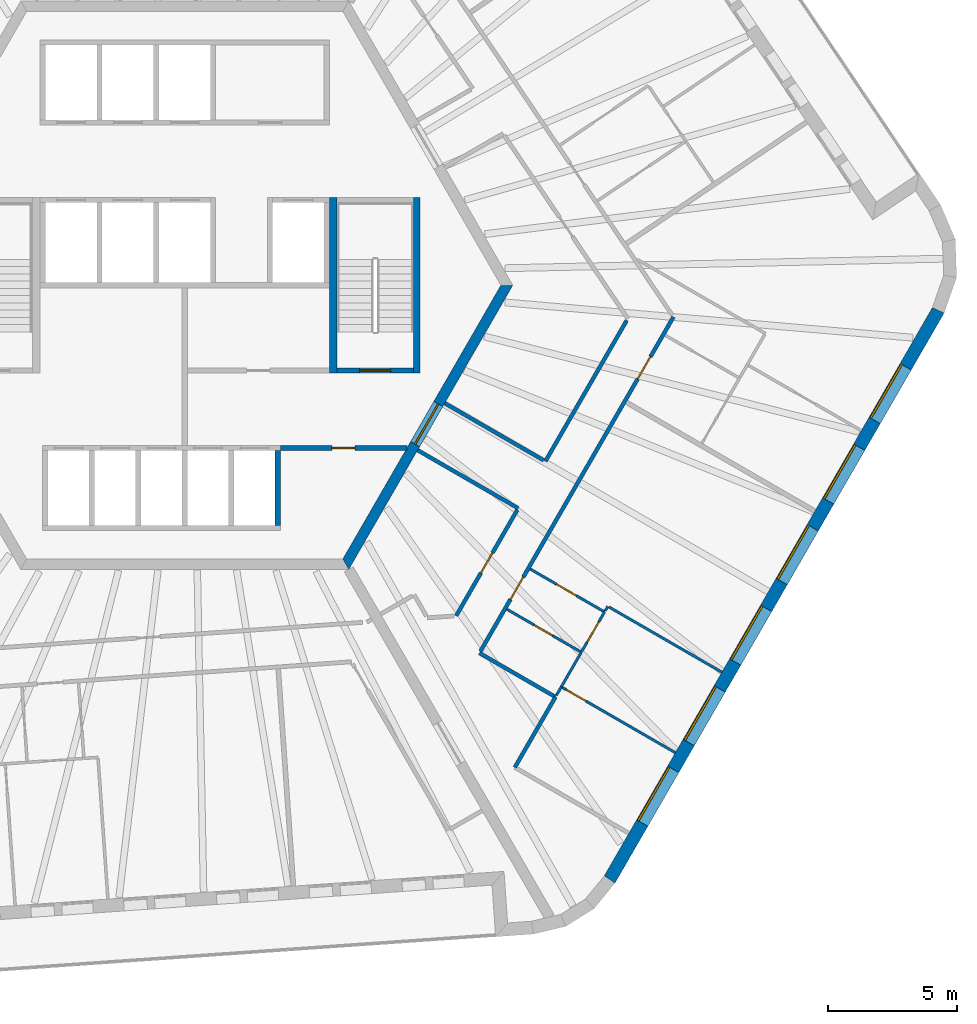
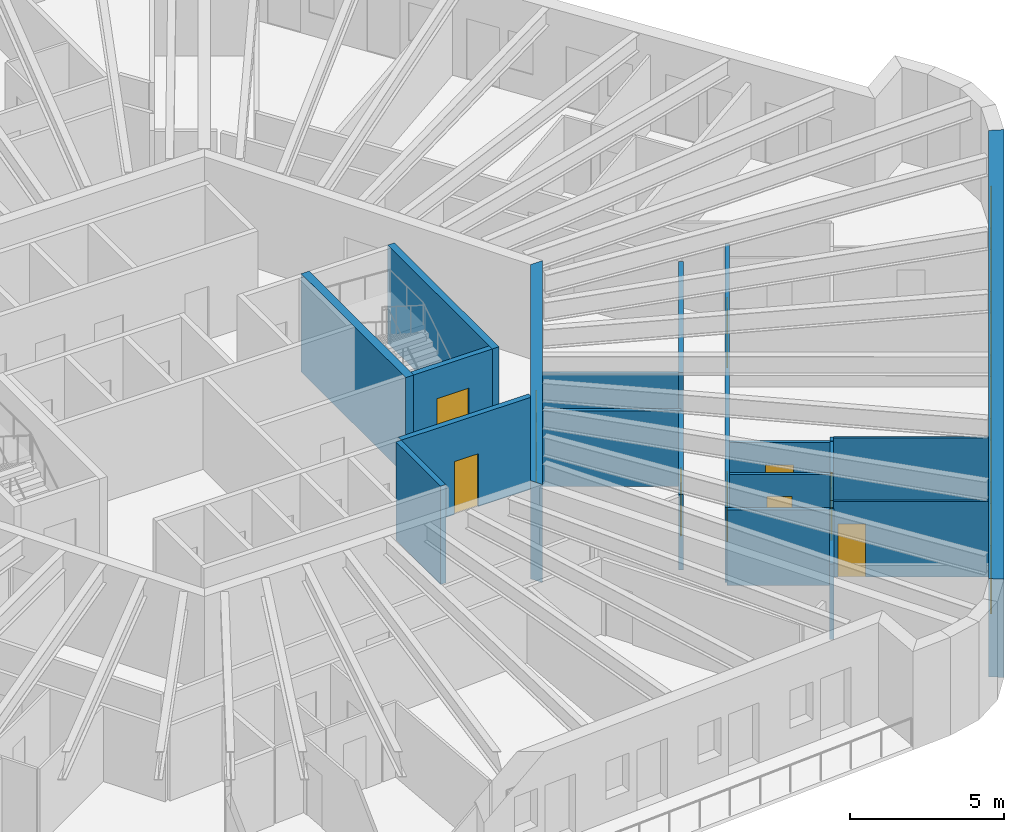
# One storey, part 6 of 12: 22 walls, 10 doors, 6 windows, 16 openings.
"""IFC4 building model written with IfcOpenShell, lengths in metres."""

from ifc_helpers import new_model, si_unit, direction, frame, frame_2d, origin, place, context, subcontext, project, spatial, polyline, rectangle, outline, extrude, material, layer, layer_set, type_object, element, fill, save


model = new_model("IFC4")

# Units and contexts
model_context = context("Model", 3, precision=1e-05, world=origin(), true_north=direction((0.0, 1.0)))
body_context = subcontext(model_context, "Body", "Model", "MODEL_VIEW")
ifc_project = project(units=[si_unit("LENGTHUNIT", "METRE"), si_unit("AREAUNIT", "SQUARE_METRE"), si_unit("VOLUMEUNIT", "CUBIC_METRE"), si_unit("PLANEANGLEUNIT", "RADIAN"), si_unit("MASSUNIT", "GRAM", prefix="KILO")], contexts=[model_context])

# Site, building, storey
site_placement = place(None, origin())
site = spatial("IfcSite", under=ifc_project, at=site_placement, CompositionType="ELEMENT")
building_placement = place(site_placement, origin())
building = spatial("IfcBuilding", under=site, at=building_placement, Name="Tarnside Tower", CompositionType="ELEMENT")
storey_placement = place(building_placement, frame((0.0, 0.0, 295.199951171875)))
storey = spatial("IfcBuildingStorey", under=building, at=storey_placement, Name="L71", CompositionType="ELEMENT", Elevation=295.199951171875)

# Wall, opening, door
ifc_material_1 = material(Name="Gypsum board partition on steel studs", Category="steel")
ifc_layer_1 = layer(ifc_material_1, 0.10009765625)
ifc_layer_set_1 = layer_set([ifc_layer_1], Name="Bathroom wall 100")
wall_type_1 = type_object("IfcWallType", Name="Bathroom wall 100", PredefinedType="PARTITIONING", material=ifc_layer_set_1)
wall_1_placement = place(storey_placement, frame((12.47412109375, -12.544189453125, 0.0), z_axis=(0.0, 0.0, 1.0), x_axis=(0.866002163101, -0.500040251884, 0.0)))
wall_1 = element("IfcWall", 1, at=wall_1_placement, inside=storey, type_object=wall_type_1, Name="Bathroom wall 23144", PredefinedType="PARTITIONING", context=body_context, shape_type="SweptSolid", body=[
    extrude(rectangle(XDim=3.324951171875, YDim=0.10009765625, at=frame_2d((1.66259765625, 0.0))), origin(), (0.0, 0.0, 1.0), 2.98779296875),
])
opening_1_placement = place(wall_1_placement, frame((1.22509765625, 0.0, 0.0)))
opening_1 = element("IfcOpeningElement", 2, at=opening_1_placement, cuts=wall_1, Name="Opening D-B1", PredefinedType="OPENING", context=body_context, shape_type="SweptSolid", body=[
    extrude(rectangle(XDim=0.800048828125, YDim=2.10009765625, at=frame_2d((0.39990234375, 1.050048828125))), frame((0.0, 0.06005859375, 0.0), z_axis=(0.0, -1.0, 0.0), x_axis=(1.0, 0.0, 0.0)), (0.0, 0.0, 1.0), 0.1201171875),
])
ifc_material_2 = material(Name="Timber door leaf", Category="wood")
door_type_1 = type_object("IfcDoorType", Name="Bathroom door 800", OperationType="NOTDEFINED", PredefinedType="DOOR", material=ifc_material_2)
door_1_placement = place(opening_1_placement, origin())
door_1 = element("IfcDoor", 3, at=door_1_placement, inside=storey, type_object=door_type_1, Name="Bathroom door 23040", OperationType="SINGLE_SWING_RIGHT", OverallHeight=2.10009765625, OverallWidth=0.800048828125, PredefinedType="DOOR", context=body_context, shape_type="SweptSolid", body=[
    extrude(rectangle(XDim=0.800048828125, YDim=2.10009765625, at=frame_2d((0.39990234375, 1.050048828125))), frame((0.0, 0.02490234375, 0.0), z_axis=(0.0, -1.0, 0.0), x_axis=(1.0, 0.0, 0.0)), (0.0, 0.0, 1.0), 0.050048828125),
])
fill(opening_1, door_1)

# Walls
wall_2_placement = place(storey_placement, frame((14.39013671875, -15.87548828125, 0.0), z_axis=(0.0, 0.0, 1.0), x_axis=(0.500094824054, 0.865970650169, 0.0)))
element("IfcWall", 4, at=wall_2_placement, inside=storey, type_object=wall_type_1, Name="Bathroom wall 23146", PredefinedType="PARTITIONING", context=body_context, shape_type="SweptSolid", body=[
    extrude(rectangle(XDim=0.37841796875, YDim=0.10009765625, at=frame_2d((0.189208984375, 0.0))), origin(), (0.0, 0.0, 1.0), 2.98779296875),
])
wall_3_placement = place(storey_placement, frame((14.579345703125, -15.5478515625, 0.0), z_axis=(0.0, 0.0, 1.0), x_axis=(0.499949632511, 0.866054481515, 0.0)))
element("IfcWall", 5, at=wall_3_placement, inside=storey, type_object=wall_type_1, Name="Bathroom wall 23147", PredefinedType="PARTITIONING", context=body_context, shape_type="SweptSolid", body=[
    extrude(rectangle(XDim=1.550537109375, YDim=0.10009765625, at=frame_2d((0.775390625, 0.0))), origin(), (0.0, 0.0, 1.0), 2.98779296875),
])

# Wall, opening, door
ifc_material_3 = material(Name="Concrete C40/50", Category="concrete")
ifc_layer_2 = layer(ifc_material_3, 0.199951171875)
ifc_layer_set_2 = layer_set([ifc_layer_2], Name="Core room partition 200 C40/50")
wall_type_2 = type_object("IfcWallType", Name="Core room partition 200 C40/50", PredefinedType="PARTITIONING", material=ifc_layer_set_2)
wall_4_placement = place(storey_placement, frame((3.699951171875, -6.300048828125, 0.0), z_axis=(0.0, 0.0, 1.0), x_axis=(1.0, 0.0, 0.0)))
wall_4 = element("IfcWall", 6, at=wall_4_placement, inside=storey, type_object=wall_type_2, Name="L71 core partition R4X", PredefinedType="PARTITIONING", context=body_context, shape_type="SweptSolid", body=[
    extrude(rectangle(XDim=4.902587890625, YDim=0.199951171875, at=frame_2d((2.451171875, 0.0))), origin(), (0.0, 0.0, 1.0), 3.650146484375),
])
opening_2_placement = place(wall_4_placement, frame((2.001220703125, 0.0, 0.0)))
opening_2 = element("IfcOpeningElement", 7, at=opening_2_placement, cuts=wall_4, Name="Opening CD-room", PredefinedType="OPENING", context=body_context, shape_type="SweptSolid", body=[
    extrude(rectangle(XDim=0.89990234375, YDim=2.10009765625, at=frame_2d((0.449951171875, 1.050048828125))), frame((0.0, 0.10986328125, 0.0), z_axis=(0.0, -1.0, 0.0), x_axis=(1.0, 0.0, 0.0)), (0.0, 0.0, 1.0), 0.219970703125),
])
ifc_material_4 = material(Name="Steel fire door", Category="steel")
door_type_2 = type_object("IfcDoorType", Name="Room door FD60 900x2100", OperationType="NOTDEFINED", PredefinedType="DOOR", material=ifc_material_4)
door_2_placement = place(opening_2_placement, origin())
door_2 = element("IfcDoor", 8, at=door_2_placement, inside=storey, type_object=door_type_2, Name="L71 core room door RX", OperationType="SINGLE_SWING_LEFT", OverallHeight=2.10009765625, OverallWidth=0.89990234375, PredefinedType="DOOR", context=body_context, shape_type="SweptSolid", body=[
    extrude(rectangle(XDim=0.89990234375, YDim=2.10009765625, at=frame_2d((0.449951171875, 1.050048828125))), frame((0.0, 0.02490234375, 0.0), z_axis=(0.0, -1.0, 0.0), x_axis=(1.0, 0.0, 0.0)), (0.0, 0.0, 1.0), 0.050048828125),
])
fill(opening_2, door_2)

ifc_material_5 = material(Name="Concrete C60/75", Category="concrete")
ifc_layer_3 = layer(ifc_material_5, 0.39990234375)
ifc_layer_set_3 = layer_set([ifc_layer_3], Name="Core wall Z3 400 C60/75")
wall_type_3 = type_object("IfcWallType", Name="Core wall Z3 400 C60/75", PredefinedType="SHEAR", material=ifc_layer_set_3)
wall_5_placement = place(storey_placement, frame((6.2353515625, -10.800048828125, -0.14990234375), z_axis=(0.0, 0.0, 1.0), x_axis=(0.499996419489, 0.866027470984, 0.0)))
wall_5 = element("IfcWall", 9, at=wall_5_placement, inside=storey, type_object=wall_type_3, Name="L71 core wall face 5", PredefinedType="SHEAR", context=body_context, shape_type="SweptSolid", body=[
    extrude(outline(polyline([(-0.115478515625, -0.199951171875), (12.586181640625, -0.199951171875), (12.355224609375, 0.199951171875), (0.115478515625, 0.199951171875), (-0.115478515625, -0.199951171875)])), origin(), (0.0, 0.0, 1.0), 3.89990234375),
])
opening_3_placement = place(wall_5_placement, frame((5.3642578125, 0.0, 0.14990234375)))
opening_3 = element("IfcOpeningElement", 10, at=opening_3_placement, cuts=wall_5, Name="Opening CD-FFL", PredefinedType="OPENING", context=body_context, shape_type="SweptSolid", body=[
    extrude(rectangle(XDim=1.800048828125, YDim=2.39990234375, at=frame_2d((0.89990234375, 1.199951171875))), frame((0.0, 0.2099609375, 0.0), z_axis=(0.0, -1.0, 0.0), x_axis=(1.0, 0.0, 0.0)), (0.0, 0.0, 1.0), 0.419921875),
])
door_type_3 = type_object("IfcDoorType", Name="Firefighting lobby double door FD60S 1800x2400", OperationType="NOTDEFINED", PredefinedType="DOOR", material=ifc_material_4)
door_3_placement = place(opening_3_placement, origin())
door_3 = element("IfcDoor", 11, at=door_3_placement, inside=storey, type_object=door_type_3, Name="L71 core door P4", OperationType="DOUBLE_DOOR_SINGLE_SWING", OverallHeight=2.39990234375, OverallWidth=1.800048828125, PredefinedType="DOOR", context=body_context, shape_type="SweptSolid", body=[
    extrude(rectangle(XDim=1.800048828125, YDim=2.39990234375, at=frame_2d((0.89990234375, 1.199951171875))), frame((0.0, 0.02490234375, 0.0), z_axis=(0.0, -1.0, 0.0), x_axis=(1.0, 0.0, 0.0)), (0.0, 0.0, 1.0), 0.050048828125),
])
fill(opening_3, door_3)

# Wall, openings, doors
ifc_layer_4 = layer(ifc_material_1, 0.14990234375)
ifc_layer_set_4 = layer_set([ifc_layer_4], Name="Corridor wall 150 EI 60")
wall_type_4 = type_object("IfcWallType", Name="Corridor wall 150 EI 60", PredefinedType="PARTITIONING", material=ifc_layer_set_4)
wall_6_placement = place(storey_placement, frame((11.446533203125, -14.173828125, 0.0), z_axis=(0.0, 0.0, 1.0), x_axis=(0.500003306199, 0.866023494941, 0.0)))
wall_6 = element("IfcWall", 12, at=wall_6_placement, inside=storey, type_object=wall_type_4, Name="Corridor wall 23053", PredefinedType="PARTITIONING", context=body_context, shape_type="SweptSolid", body=[
    extrude(rectangle(XDim=14.94921875, YDim=0.14990234375, at=frame_2d((7.474609375, 0.0))), origin(), (0.0, 0.0, 1.0), 2.98779296875),
])
opening_4_placement = place(wall_6_placement, frame((2.324951171875, 0.0, 0.0)))
opening_4 = element("IfcOpeningElement", 13, at=opening_4_placement, cuts=wall_6, Name="Opening D-E1", PredefinedType="OPENING", context=body_context, shape_type="SweptSolid", body=[
    extrude(rectangle(XDim=1.0, YDim=2.10009765625, at=frame_2d((0.5, 1.050048828125))), frame((0.0, 0.0849609375, 0.0), z_axis=(0.0, -1.0, 0.0), x_axis=(1.0, 0.0, 0.0)), (0.0, 0.0, 1.0), 0.169921875),
])
opening_5_placement = place(wall_6_placement, frame((12.176513671875, 0.0, 0.0)))
opening_5 = element("IfcOpeningElement", 14, at=opening_5_placement, cuts=wall_6, Name="Opening D-E1", PredefinedType="OPENING", context=body_context, shape_type="SweptSolid", body=[
    extrude(rectangle(XDim=1.0, YDim=2.10009765625, at=frame_2d((0.5, 1.050048828125))), frame((0.0, 0.0849609375, 0.0), z_axis=(0.0, -1.0, 0.0), x_axis=(1.0, 0.0, 0.0)), (0.0, 0.0, 1.0), 0.169921875),
])
door_type_4 = type_object("IfcDoorType", Name="Unit entrance door 1000 FD30S", OperationType="NOTDEFINED", PredefinedType="DOOR", material=ifc_material_2)
door_4_placement = place(opening_4_placement, origin())
door_4 = element("IfcDoor", 15, at=door_4_placement, inside=storey, type_object=door_type_4, Name="Unit door 23039", OperationType="SINGLE_SWING_LEFT", OverallHeight=2.10009765625, OverallWidth=1.0, PredefinedType="DOOR", context=body_context, shape_type="SweptSolid", body=[
    extrude(rectangle(XDim=1.0, YDim=2.10009765625, at=frame_2d((0.5, 1.050048828125))), frame((0.0, 0.02490234375, 0.0), z_axis=(0.0, -1.0, 0.0), x_axis=(1.0, 0.0, 0.0)), (0.0, 0.0, 1.0), 0.050048828125),
])
fill(opening_4, door_4)
door_5_placement = place(opening_5_placement, origin())
door_5 = element("IfcDoor", 16, at=door_5_placement, inside=storey, type_object=door_type_4, Name="Unit door 23046", OperationType="SINGLE_SWING_LEFT", OverallHeight=2.10009765625, OverallWidth=1.0, PredefinedType="DOOR", context=body_context, shape_type="SweptSolid", body=[
    extrude(rectangle(XDim=1.0, YDim=2.10009765625, at=frame_2d((0.5, 1.050048828125))), frame((0.0, 0.02490234375, 0.0), z_axis=(0.0, -1.0, 0.0), x_axis=(1.0, 0.0, 0.0)), (0.0, 0.0, 1.0), 0.050048828125),
])
fill(opening_5, door_5)

# Walls
wall_7_placement = place(storey_placement, frame((14.353515625, -15.938720703125, 0.0), z_axis=(0.0, 0.0, 1.0), x_axis=(-0.866020560687, 0.500008388397, 0.0)))
element("IfcWall", 17, at=wall_7_placement, inside=storey, type_object=wall_type_4, Name="Corridor wall 23055", PredefinedType="PARTITIONING", context=body_context, shape_type="SweptSolid", body=[
    extrude(rectangle(XDim=3.39990234375, YDim=0.14990234375, at=frame_2d((1.699951171875, 0.0))), origin(), (0.0, 0.0, 1.0), 2.98779296875),
])
wall_8_placement = place(storey_placement, frame((12.780029296875, -18.66455078125, 0.0), z_axis=(0.0, 0.0, 1.0), x_axis=(0.499972881236, 0.866041060244, 0.0)))
element("IfcWall", 18, at=wall_8_placement, inside=storey, type_object=wall_type_4, Name="Corridor wall 23057", PredefinedType="PARTITIONING", context=body_context, shape_type="SweptSolid", body=[
    extrude(rectangle(XDim=3.150634765625, YDim=0.14990234375, at=frame_2d((1.5751953125, 0.0))), origin(), (0.0, 0.0, 1.0), 2.98779296875),
])
wall_9_placement = place(storey_placement, frame((17.11181640625, -1.361572265625, 0.0), z_axis=(0.0, 0.0, 1.0), x_axis=(-0.49999985423, -0.866025487945, 0.0)))
element("IfcWall", 19, at=wall_9_placement, inside=storey, type_object=wall_type_4, Name="Corridor wall 23071", PredefinedType="PARTITIONING", context=body_context, shape_type="SweptSolid", body=[
    extrude(rectangle(XDim=6.2978515625, YDim=0.14990234375, at=frame_2d((3.14892578125, 0.0))), origin(), (0.0, 0.0, 1.0), 2.98779296875),
])
wall_10_placement = place(storey_placement, frame((13.89794921875, -6.778076171875, 0.0), z_axis=(0.0, 0.0, 1.0), x_axis=(-0.866041342403, 0.499972392486, 0.0)))
element("IfcWall", 20, at=wall_10_placement, inside=storey, type_object=wall_type_4, Name="Corridor wall 23072", PredefinedType="PARTITIONING", context=body_context, shape_type="SweptSolid", body=[
    extrude(rectangle(XDim=4.425048828125, YDim=0.14990234375, at=frame_2d((2.21240234375, 0.0))), origin(), (0.0, 0.0, 1.0), 2.98779296875),
])
wall_11_placement = place(storey_placement, frame((9.015625, -6.38427734375, 0.0), z_axis=(0.0, 0.0, 1.0), x_axis=(0.866031096941, -0.499990139034, 0.0)))
element("IfcWall", 21, at=wall_11_placement, inside=storey, type_object=wall_type_4, Name="Corridor wall 23073", PredefinedType="PARTITIONING", context=body_context, shape_type="SweptSolid", body=[
    extrude(rectangle(XDim=4.5, YDim=0.14990234375, at=frame_2d((2.25, 0.0))), origin(), (0.0, 0.0, 1.0), 2.98779296875),
])

# Wall, opening, door
wall_12_placement = place(storey_placement, frame((12.875244140625, -8.69921875, 0.0), z_axis=(0.0, 0.0, 1.0), x_axis=(-0.49999482868, -0.866028389427, 0.0)))
wall_12 = element("IfcWall", 22, at=wall_12_placement, inside=storey, type_object=wall_type_4, Name="Corridor wall 23074", PredefinedType="PARTITIONING", context=body_context, shape_type="SweptSolid", body=[
    extrude(rectangle(XDim=4.73291015625, YDim=0.14990234375, at=frame_2d((2.366455078125, 0.0))), origin(), (0.0, 0.0, 1.0), 2.98779296875),
])
opening_6_placement = place(wall_12_placement, frame((1.91650390625, 0.0, 0.0)))
opening_6 = element("IfcOpeningElement", 23, at=opening_6_placement, cuts=wall_12, Name="Opening D-S1", PredefinedType="OPENING", context=body_context, shape_type="SweptSolid", body=[
    extrude(rectangle(XDim=0.89990234375, YDim=2.10009765625, at=frame_2d((0.449951171875, 1.050048828125))), frame((0.0, 0.0849609375, 0.0), z_axis=(0.0, -1.0, 0.0), x_axis=(1.0, 0.0, 0.0)), (0.0, 0.0, 1.0), 0.169921875),
])
door_type_5 = type_object("IfcDoorType", Name="Service room door 900 FD30S", OperationType="NOTDEFINED", PredefinedType="DOOR", material=ifc_material_2)
door_6_placement = place(opening_6_placement, origin())
door_6 = element("IfcDoor", 24, at=door_6_placement, inside=storey, type_object=door_type_5, Name="Service door 23063", OperationType="SINGLE_SWING_LEFT", OverallHeight=2.10009765625, OverallWidth=0.89990234375, PredefinedType="DOOR", context=body_context, shape_type="SweptSolid", body=[
    extrude(rectangle(XDim=0.89990234375, YDim=2.10009765625, at=frame_2d((0.449951171875, 1.050048828125))), frame((0.0, 0.02490234375, 0.0), z_axis=(0.0, -1.0, 0.0), x_axis=(1.0, 0.0, 0.0)), (0.0, 0.0, 1.0), 0.050048828125),
])
fill(opening_6, door_6)

# Wall
ifc_layer_5 = layer(ifc_material_3, 0.199951171875)
ifc_layer_set_5 = layer_set([ifc_layer_5], Name="Lift shaft wall 200 C40/50")
wall_type_5 = type_object("IfcWallType", Name="Lift shaft wall 200 C40/50", PredefinedType="SHEAR", material=ifc_layer_set_5)
wall_13_placement = place(storey_placement, frame((3.60009765625, -9.300048828125, -0.25), z_axis=(0.0, 0.0, 1.0), x_axis=(0.0, 1.0, 0.0)))
element("IfcWall", 25, at=wall_13_placement, inside=storey, type_object=wall_type_5, Name="L71 lift shaft partition R46", PredefinedType="SHEAR", context=body_context, shape_type="SweptSolid", body=[
    extrude(rectangle(XDim=2.900146484375, YDim=0.199951171875, at=frame_2d((1.4501953125, 0.0))), origin(), (0.0, 0.0, 1.0), 3.900146484375),
])

# Wall, opening, door
wall_14_placement = place(storey_placement, frame((5.89990234375, -3.300048828125, -0.25), z_axis=(0.0, 0.0, 1.0), x_axis=(1.0, 0.0, 0.0)))
wall_14 = element("IfcWall", 26, at=wall_14_placement, inside=storey, type_object=wall_type_5, Name="L71 stair 1 enclosure cap wall s", PredefinedType="SHEAR", context=body_context, shape_type="SweptSolid", body=[
    extrude(rectangle(XDim=2.9501953125, YDim=0.199951171875, at=frame_2d((1.47509765625, 0.0))), origin(), (0.0, 0.0, 1.0), 3.900146484375),
])
opening_7_placement = place(wall_14_placement, frame((0.875, 0.0, 0.25)))
opening_7 = element("IfcOpeningElement", 27, at=opening_7_placement, cuts=wall_14, Name="Opening CD-STR", PredefinedType="OPENING", context=body_context, shape_type="SweptSolid", body=[
    extrude(rectangle(XDim=1.199951171875, YDim=2.39990234375, at=frame_2d((0.60009765625, 1.199951171875))), frame((0.0, 0.10986328125, 0.0), z_axis=(0.0, -1.0, 0.0), x_axis=(1.0, 0.0, 0.0)), (0.0, 0.0, 1.0), 0.219970703125),
])
door_type_6 = type_object("IfcDoorType", Name="Stair door FD60S 1200x2400", OperationType="NOTDEFINED", PredefinedType="DOOR", material=ifc_material_4)
door_7_placement = place(opening_7_placement, origin())
door_7 = element("IfcDoor", 28, at=door_7_placement, inside=storey, type_object=door_type_6, Name="L71 stair 1 door", OperationType="SINGLE_SWING_LEFT", OverallHeight=2.39990234375, OverallWidth=1.199951171875, PredefinedType="DOOR", context=body_context, shape_type="SweptSolid", body=[
    extrude(rectangle(XDim=1.199951171875, YDim=2.39990234375, at=frame_2d((0.60009765625, 1.199951171875))), frame((0.0, 0.02490234375, 0.0), z_axis=(0.0, -1.0, 0.0), x_axis=(1.0, 0.0, 0.0)), (0.0, 0.0, 1.0), 0.050048828125),
])
fill(opening_7, door_7)

ifc_layer_6 = layer(ifc_material_1, 0.10009765625)
ifc_layer_set_6 = layer_set([ifc_layer_6], Name="Partition 100")
wall_type_6 = type_object("IfcWallType", Name="Partition 100", PredefinedType="PARTITIONING", material=ifc_layer_set_6)
wall_15_placement = place(storey_placement, frame((13.3740234375, -10.9853515625, 0.0), z_axis=(0.0, 0.0, 1.0), x_axis=(0.866020521143, -0.500008456887, 0.0)))
wall_15 = element("IfcWall", 29, at=wall_15_placement, inside=storey, type_object=wall_type_6, Name="Partition wall 23139", PredefinedType="PARTITIONING", context=body_context, shape_type="SweptSolid", body=[
    extrude(rectangle(XDim=3.3251953125, YDim=0.10009765625, at=frame_2d((1.66259765625, 0.0))), origin(), (0.0, 0.0, 1.0), 2.98779296875),
])
opening_8_placement = place(wall_15_placement, frame((1.175048828125, 0.0, 0.0)))
opening_8 = element("IfcOpeningElement", 30, at=opening_8_placement, cuts=wall_15, Name="Opening D-I1", PredefinedType="OPENING", context=body_context, shape_type="SweptSolid", body=[
    extrude(rectangle(XDim=0.89990234375, YDim=2.10009765625, at=frame_2d((0.449951171875, 1.050048828125))), frame((0.0, 0.06005859375, 0.0), z_axis=(0.0, -1.0, 0.0), x_axis=(1.0, 0.0, 0.0)), (0.0, 0.0, 1.0), 0.1201171875),
])
door_type_7 = type_object("IfcDoorType", Name="Internal door 900", OperationType="NOTDEFINED", PredefinedType="DOOR", material=ifc_material_2)
door_8_placement = place(opening_8_placement, origin())
door_8 = element("IfcDoor", 31, at=door_8_placement, inside=storey, type_object=door_type_7, Name="Internal door 23041", OperationType="SINGLE_SWING_RIGHT", OverallHeight=2.10009765625, OverallWidth=0.89990234375, PredefinedType="DOOR", context=body_context, shape_type="SweptSolid", body=[
    extrude(rectangle(XDim=0.89990234375, YDim=2.10009765625, at=frame_2d((0.449951171875, 1.050048828125))), frame((0.0, 0.02490234375, 0.0), z_axis=(0.0, -1.0, 0.0), x_axis=(1.0, 0.0, 0.0)), (0.0, 0.0, 1.0), 0.050048828125),
])
fill(opening_8, door_8)

# Walls
wall_16_placement = place(storey_placement, frame((16.277587890625, -12.6064453125, 0.0), z_axis=(0.0, 0.0, 1.0), x_axis=(0.500137716533, 0.865945878506, 0.0)))
element("IfcWall", 32, at=wall_16_placement, inside=storey, type_object=wall_type_6, Name="Partition wall 23140", PredefinedType="PARTITIONING", context=body_context, shape_type="SweptSolid", body=[
    extrude(rectangle(XDim=0.20361328125, YDim=0.10009765625, at=frame_2d((0.101806640625, 0.0))), origin(), (0.0, 0.0, 1.0), 2.98779296875),
])
wall_17_placement = place(storey_placement, frame((16.422607421875, -12.455078125, 0.0), z_axis=(0.0, 0.0, 1.0), x_axis=(0.866018134068, -0.500012591307, 0.0)))
element("IfcWall", 33, at=wall_17_placement, inside=storey, type_object=wall_type_6, Name="Partition wall 23141", PredefinedType="PARTITIONING", context=body_context, shape_type="SweptSolid", body=[
    extrude(rectangle(XDim=5.050048828125, YDim=0.10009765625, at=frame_2d((2.52490234375, 0.0))), origin(), (0.0, 0.0, 1.0), 2.98779296875),
])

# Wall, opening, door
wall_18_placement = place(storey_placement, frame((15.377685546875, -14.165283203125, 0.0), z_axis=(0.0, 0.0, 1.0), x_axis=(0.499971461383, 0.866041879935, 0.0)))
wall_18 = element("IfcWall", 34, at=wall_18_placement, inside=storey, type_object=wall_type_6, Name="Partition wall 23145", PredefinedType="PARTITIONING", context=body_context, shape_type="SweptSolid", body=[
    extrude(rectangle(XDim=1.75390625, YDim=0.10009765625, at=frame_2d((0.876953125, 0.0))), origin(), (0.0, 0.0, 1.0), 2.98779296875),
])
opening_9_placement = place(wall_18_placement, frame((0.402099609375, 0.0, 0.0)))
opening_9 = element("IfcOpeningElement", 35, at=opening_9_placement, cuts=wall_18, Name="Opening D-I1", PredefinedType="OPENING", context=body_context, shape_type="SweptSolid", body=[
    extrude(rectangle(XDim=0.89990234375, YDim=2.10009765625, at=frame_2d((0.449951171875, 1.050048828125))), frame((0.0, 0.06005859375, 0.0), z_axis=(0.0, -1.0, 0.0), x_axis=(1.0, 0.0, 0.0)), (0.0, 0.0, 1.0), 0.1201171875),
])
door_9_placement = place(opening_9_placement, origin())
door_9 = element("IfcDoor", 36, at=door_9_placement, inside=storey, type_object=door_type_7, Name="Internal door 23045", OperationType="SINGLE_SWING_RIGHT", OverallHeight=2.10009765625, OverallWidth=0.89990234375, PredefinedType="DOOR", context=body_context, shape_type="SweptSolid", body=[
    extrude(rectangle(XDim=0.89990234375, YDim=2.10009765625, at=frame_2d((0.449951171875, 1.050048828125))), frame((0.0, 0.02490234375, 0.0), z_axis=(0.0, -1.0, 0.0), x_axis=(1.0, 0.0, 0.0)), (0.0, 0.0, 1.0), 0.050048828125),
])
fill(opening_9, door_9)

wall_19_placement = place(storey_placement, frame((18.99609375, -18.097900390625, 0.0), z_axis=(0.0, 0.0, 1.0), x_axis=(-0.866039067339, 0.499976333282, 0.0)))
wall_19 = element("IfcWall", 37, at=wall_19_placement, inside=storey, type_object=wall_type_6, Name="Partition wall 23148", PredefinedType="PARTITIONING", context=body_context, shape_type="SweptSolid", body=[
    extrude(rectangle(XDim=5.050048828125, YDim=0.10009765625, at=frame_2d((2.52490234375, 0.0))), origin(), (0.0, 0.0, 1.0), 2.98779296875),
])
opening_10_placement = place(wall_19_placement, frame((4.0, 0.0, 0.0)))
opening_10 = element("IfcOpeningElement", 38, at=opening_10_placement, cuts=wall_19, Name="Opening D-I1", PredefinedType="OPENING", context=body_context, shape_type="SweptSolid", body=[
    extrude(rectangle(XDim=0.89990234375, YDim=2.10009765625, at=frame_2d((0.449951171875, 1.050048828125))), frame((0.0, 0.06005859375, 0.0), z_axis=(0.0, -1.0, 0.0), x_axis=(1.0, 0.0, 0.0)), (0.0, 0.0, 1.0), 0.1201171875),
])
door_10_placement = place(opening_10_placement, origin())
door_10 = element("IfcDoor", 39, at=door_10_placement, inside=storey, type_object=door_type_7, Name="Internal door 23044", OperationType="SINGLE_SWING_RIGHT", OverallHeight=2.10009765625, OverallWidth=0.89990234375, PredefinedType="DOOR", context=body_context, shape_type="SweptSolid", body=[
    extrude(rectangle(XDim=0.89990234375, YDim=2.10009765625, at=frame_2d((0.449951171875, 1.050048828125))), frame((0.0, 0.02490234375, 0.0), z_axis=(0.0, -1.0, 0.0), x_axis=(1.0, 0.0, 0.0)), (0.0, 0.0, 1.0), 0.050048828125),
])
fill(opening_10, door_10)

# Walls
ifc_layer_7 = layer(ifc_material_3, 0.25)
ifc_layer_set_7 = layer_set([ifc_layer_7], Name="Stair enclosure wall 250 C40/50")
wall_type_7 = type_object("IfcWallType", Name="Stair enclosure wall 250 C40/50", PredefinedType="SHEAR", material=ifc_layer_set_7)
wall_20_placement = place(storey_placement, frame((8.97509765625, -3.39990234375, -0.25), z_axis=(0.0, 0.0, 1.0), x_axis=(0.0, 1.0, 0.0)))
element("IfcWall", 40, at=wall_20_placement, inside=storey, type_object=wall_type_7, Name="L71 stair 1 enclosure wall outer", PredefinedType="SHEAR", context=body_context, shape_type="SweptSolid", body=[
    extrude(rectangle(XDim=6.7998046875, YDim=0.25, at=frame_2d((3.39990234375, 0.0))), origin(), (0.0, 0.0, 1.0), 3.900146484375),
])
ifc_layer_8 = layer(ifc_material_3, 0.300048828125)
ifc_layer_set_8 = layer_set([ifc_layer_8], Name="Stair enclosure wall 300 C40/50")
wall_type_8 = type_object("IfcWallType", Name="Stair enclosure wall 300 C40/50", PredefinedType="SHEAR", material=ifc_layer_set_8)
wall_21_placement = place(storey_placement, frame((5.75, -3.39990234375, -0.25), z_axis=(0.0, 0.0, 1.0), x_axis=(0.0, 1.0, 0.0)))
element("IfcWall", 41, at=wall_21_placement, inside=storey, type_object=wall_type_8, Name="L71 stair 1 enclosure wall inner", PredefinedType="SHEAR", context=body_context, shape_type="SweptSolid", body=[
    extrude(rectangle(XDim=6.7998046875, YDim=0.300048828125, at=frame_2d((3.39990234375, 0.0))), origin(), (0.0, 0.0, 1.0), 3.900146484375),
])

# Wall, openings, windows
ifc_material_6 = material(Name="Facing brick", Category="masonry")
ifc_layer_9 = layer(ifc_material_6, 0.10205078125)
ifc_material_7 = material(Name="Concrete C60/75 precast", Category="concrete")
ifc_layer_10 = layer(ifc_material_7, 0.298095703125)
ifc_material_8 = material(Name="Mineral wool insulation")
ifc_layer_11 = layer(ifc_material_8, 0.10009765625)
ifc_layer_set_9 = layer_set([ifc_layer_9, ifc_layer_10, ifc_layer_11], Name="Tube wall 500 brick faced")
wall_type_9 = type_object("IfcWallType", Name="Tube wall 500 brick faced", PredefinedType="SOLIDWALL", material=ifc_layer_set_9)
wall_22_placement = place(storey_placement, frame((16.451416015625, -23.00537109375, -0.14990234375), z_axis=(0.0, 0.0, 1.0), x_axis=(0.500003737743, 0.866023245787, 0.0)))
wall_22 = element("IfcWall", 42, at=wall_22_placement, inside=storey, type_object=wall_type_9, Name="Tube wall L71 F5 flush 24", PredefinedType="SOLIDWALL", context=body_context, shape_type="SweptSolid", body=[
    extrude(outline(polyline([(-0.0205078125, -0.25), (25.468017578125, -0.25), (25.421142578125, 0.25), (0.0205078125, 0.25), (-0.0205078125, -0.25)])), origin(), (0.0, 0.0, 1.0), 3.89990234375),
])
opening_11_placement = place(wall_22_placement, frame((2.5224609375, 0.0, 0.75)))
opening_11 = element("IfcOpeningElement", 43, at=opening_11_placement, cuts=wall_22, Name="Opening WR", PredefinedType="OPENING", context=body_context, shape_type="SweptSolid", body=[
    extrude(rectangle(XDim=2.39990234375, YDim=2.699951171875, at=frame_2d((1.199951171875, 1.35009765625))), frame((0.0, 0.260009765625, 0.0), z_axis=(0.0, -1.0, 0.0), x_axis=(1.0, 0.0, 0.0)), (0.0, 0.0, 1.0), 0.52001953125),
])
opening_12_placement = place(wall_22_placement, frame((6.122314453125, 0.0, 0.75)))
opening_12 = element("IfcOpeningElement", 44, at=opening_12_placement, cuts=wall_22, Name="Opening WR", PredefinedType="OPENING", context=body_context, shape_type="SweptSolid", body=[
    extrude(rectangle(XDim=2.39990234375, YDim=2.699951171875, at=frame_2d((1.199951171875, 1.35009765625))), frame((0.0, 0.260009765625, 0.0), z_axis=(0.0, -1.0, 0.0), x_axis=(1.0, 0.0, 0.0)), (0.0, 0.0, 1.0), 0.52001953125),
])
opening_13_placement = place(wall_22_placement, frame((9.722412109375, 0.0, 0.75)))
opening_13 = element("IfcOpeningElement", 45, at=opening_13_placement, cuts=wall_22, Name="Opening WR", PredefinedType="OPENING", context=body_context, shape_type="SweptSolid", body=[
    extrude(rectangle(XDim=2.39990234375, YDim=2.699951171875, at=frame_2d((1.199951171875, 1.35009765625))), frame((0.0, 0.260009765625, 0.0), z_axis=(0.0, -1.0, 0.0), x_axis=(1.0, 0.0, 0.0)), (0.0, 0.0, 1.0), 0.52001953125),
])
opening_14_placement = place(wall_22_placement, frame((13.322509765625, 0.0, 0.75)))
opening_14 = element("IfcOpeningElement", 46, at=opening_14_placement, cuts=wall_22, Name="Opening WR", PredefinedType="OPENING", context=body_context, shape_type="SweptSolid", body=[
    extrude(rectangle(XDim=2.39990234375, YDim=2.699951171875, at=frame_2d((1.199951171875, 1.35009765625))), frame((0.0, 0.260009765625, 0.0), z_axis=(0.0, -1.0, 0.0), x_axis=(1.0, 0.0, 0.0)), (0.0, 0.0, 1.0), 0.52001953125),
])
opening_15_placement = place(wall_22_placement, frame((16.92236328125, 0.0, 0.75)))
opening_15 = element("IfcOpeningElement", 47, at=opening_15_placement, cuts=wall_22, Name="Opening WR", PredefinedType="OPENING", context=body_context, shape_type="SweptSolid", body=[
    extrude(rectangle(XDim=2.39990234375, YDim=2.699951171875, at=frame_2d((1.199951171875, 1.35009765625))), frame((0.0, 0.260009765625, 0.0), z_axis=(0.0, -1.0, 0.0), x_axis=(1.0, 0.0, 0.0)), (0.0, 0.0, 1.0), 0.52001953125),
])
opening_16_placement = place(wall_22_placement, frame((20.5224609375, 0.0, 0.75)))
opening_16 = element("IfcOpeningElement", 48, at=opening_16_placement, cuts=wall_22, Name="Opening WR", PredefinedType="OPENING", context=body_context, shape_type="SweptSolid", body=[
    extrude(rectangle(XDim=2.39990234375, YDim=2.699951171875, at=frame_2d((1.199951171875, 1.35009765625))), frame((0.0, 0.260009765625, 0.0), z_axis=(0.0, -1.0, 0.0), x_axis=(1.0, 0.0, 0.0)), (0.0, 0.0, 1.0), 0.52001953125),
])
ifc_material_9 = material(Name="Aluminium-framed double glazing", Category="aluminium")
window_type = type_object("IfcWindowType", Name="Residence window 2400 x 2700", PartitioningType="DOUBLE_PANEL_VERTICAL", PredefinedType="WINDOW", material=ifc_material_9)
window_1_placement = place(opening_11_placement, frame((0.0, 0.179931640625, 0.0)))
window_1 = element("IfcWindow", 49, at=window_1_placement, inside=storey, type_object=window_type, Name="E.WN.L71.F5.00", OverallHeight=2.699951171875, OverallWidth=2.39990234375, PartitioningType="DOUBLE_PANEL_VERTICAL", PredefinedType="WINDOW", context=body_context, shape_type="SweptSolid", body=[
    extrude(rectangle(XDim=2.39990234375, YDim=2.699951171875, at=frame_2d((1.199951171875, 1.35009765625))), frame((0.0, 0.030029296875, 0.0), z_axis=(0.0, -1.0, 0.0), x_axis=(1.0, 0.0, 0.0)), (0.0, 0.0, 1.0), 0.06005859375),
])
fill(opening_11, window_1)
window_2_placement = place(opening_12_placement, frame((0.0, 0.179931640625, 0.0)))
window_2 = element("IfcWindow", 50, at=window_2_placement, inside=storey, type_object=window_type, Name="E.WN.L71.F5.01", OverallHeight=2.699951171875, OverallWidth=2.39990234375, PartitioningType="DOUBLE_PANEL_VERTICAL", PredefinedType="WINDOW", context=body_context, shape_type="SweptSolid", body=[
    extrude(rectangle(XDim=2.39990234375, YDim=2.699951171875, at=frame_2d((1.199951171875, 1.35009765625))), frame((0.0, 0.030029296875, 0.0), z_axis=(0.0, -1.0, 0.0), x_axis=(1.0, 0.0, 0.0)), (0.0, 0.0, 1.0), 0.06005859375),
])
fill(opening_12, window_2)
window_3_placement = place(opening_13_placement, frame((0.0, 0.179931640625, 0.0)))
window_3 = element("IfcWindow", 51, at=window_3_placement, inside=storey, type_object=window_type, Name="E.WN.L71.F5.02", OverallHeight=2.699951171875, OverallWidth=2.39990234375, PartitioningType="DOUBLE_PANEL_VERTICAL", PredefinedType="WINDOW", context=body_context, shape_type="SweptSolid", body=[
    extrude(rectangle(XDim=2.39990234375, YDim=2.699951171875, at=frame_2d((1.199951171875, 1.35009765625))), frame((0.0, 0.030029296875, 0.0), z_axis=(0.0, -1.0, 0.0), x_axis=(1.0, 0.0, 0.0)), (0.0, 0.0, 1.0), 0.06005859375),
])
fill(opening_13, window_3)
window_4_placement = place(opening_14_placement, frame((0.0, 0.179931640625, 0.0)))
window_4 = element("IfcWindow", 52, at=window_4_placement, inside=storey, type_object=window_type, Name="E.WN.L71.F5.03", OverallHeight=2.699951171875, OverallWidth=2.39990234375, PartitioningType="DOUBLE_PANEL_VERTICAL", PredefinedType="WINDOW", context=body_context, shape_type="SweptSolid", body=[
    extrude(rectangle(XDim=2.39990234375, YDim=2.699951171875, at=frame_2d((1.199951171875, 1.35009765625))), frame((0.0, 0.030029296875, 0.0), z_axis=(0.0, -1.0, 0.0), x_axis=(1.0, 0.0, 0.0)), (0.0, 0.0, 1.0), 0.06005859375),
])
fill(opening_14, window_4)
window_5_placement = place(opening_15_placement, frame((0.0, 0.179931640625, 0.0)))
window_5 = element("IfcWindow", 53, at=window_5_placement, inside=storey, type_object=window_type, Name="E.WN.L71.F5.04", OverallHeight=2.699951171875, OverallWidth=2.39990234375, PartitioningType="DOUBLE_PANEL_VERTICAL", PredefinedType="WINDOW", context=body_context, shape_type="SweptSolid", body=[
    extrude(rectangle(XDim=2.39990234375, YDim=2.699951171875, at=frame_2d((1.199951171875, 1.35009765625))), frame((0.0, 0.030029296875, 0.0), z_axis=(0.0, -1.0, 0.0), x_axis=(1.0, 0.0, 0.0)), (0.0, 0.0, 1.0), 0.06005859375),
])
fill(opening_15, window_5)
window_6_placement = place(opening_16_placement, frame((0.0, 0.179931640625, 0.0)))
window_6 = element("IfcWindow", 54, at=window_6_placement, inside=storey, type_object=window_type, Name="E.WN.L71.F5.05", OverallHeight=2.699951171875, OverallWidth=2.39990234375, PartitioningType="DOUBLE_PANEL_VERTICAL", PredefinedType="WINDOW", context=body_context, shape_type="SweptSolid", body=[
    extrude(rectangle(XDim=2.39990234375, YDim=2.699951171875, at=frame_2d((1.199951171875, 1.35009765625))), frame((0.0, 0.030029296875, 0.0), z_axis=(0.0, -1.0, 0.0), x_axis=(1.0, 0.0, 0.0)), (0.0, 0.0, 1.0), 0.06005859375),
])
fill(opening_16, window_6)

save(model, "model.ifc")
